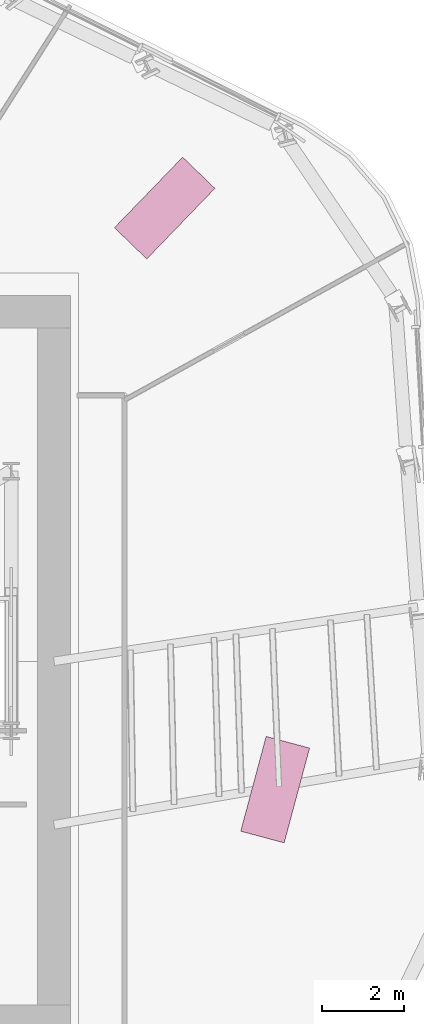
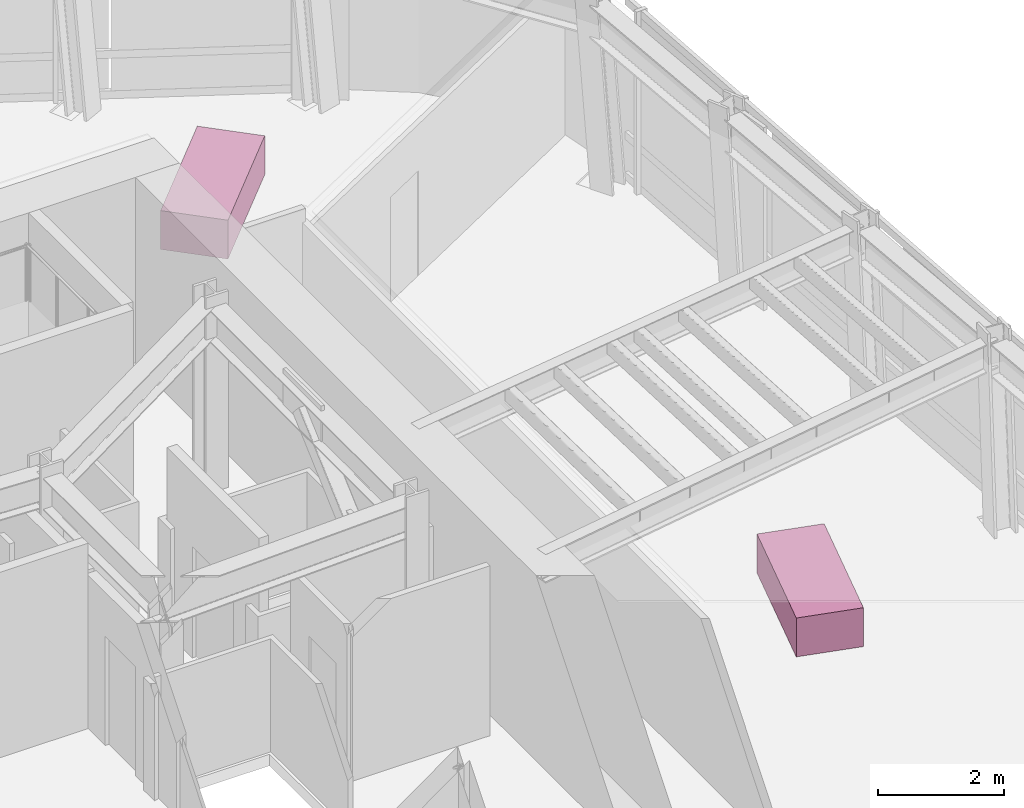
# One storey, part 15 of 15: 2 furniture elements.
"""IFC4 building model written with IfcOpenShell, lengths in metres."""

from ifc_helpers import new_model, si_unit, direction, frame, origin, origin_2d, place, context, subcontext, project, spatial, rectangle, extrude, material, type_object, element, save


model = new_model("IFC4")

# Units and contexts
model_context = context("Model", 3, precision=1e-05, world=origin(), true_north=direction((0.0, 1.0)))
body_context = subcontext(model_context, "Body", "Model", "MODEL_VIEW")
ifc_project = project(units=[si_unit("LENGTHUNIT", "METRE"), si_unit("AREAUNIT", "SQUARE_METRE"), si_unit("VOLUMEUNIT", "CUBIC_METRE"), si_unit("PLANEANGLEUNIT", "RADIAN"), si_unit("MASSUNIT", "GRAM", prefix="KILO")], contexts=[model_context])

# Site, building, storey
site_placement = place(None, origin())
site = spatial("IfcSite", under=ifc_project, at=site_placement, CompositionType="ELEMENT")
building_placement = place(site_placement, origin())
building = spatial("IfcBuilding", under=site, at=building_placement, Name="Valkerne Bourse Tower", CompositionType="ELEMENT")
storey_placement = place(building_placement, frame((0.0, 0.0, 166.60009765625)))
storey = spatial("IfcBuildingStorey", under=building, at=storey_placement, Name="L42", CompositionType="ELEMENT", Elevation=166.60009765625)

# Furniture
ifc_material = material(Name="Architectural White Oak Timber", Category="wood")
furniture_type = type_object("IfcFurnitureType", Name="FURN-DESK-2400", AssemblyPlace="NOTDEFINED", PredefinedType="DESK", material=ifc_material)
for number, where, z_axis, x_axis, name in (
    (1, (58.705078125, 38.0849609375, 0.044921875), (0.0, 0.0, 1.0), (0.694658370459, 0.719339800339, 0.0), "L42 Suite Worktable 08"),
    (2, (61.406982421875, 23.861083984375, 0.044921875), (0.0, 0.0, 1.0), (0.258819045103, 0.965925826289, 0.0), "L42 Suite Worktable 09"),
):
    element("IfcFurniture", number, at=place(storey_placement, frame(where, z_axis=z_axis, x_axis=x_axis)), inside=storey, type_object=furniture_type, Name=name, PredefinedType="DESK", context=body_context, shape_type="SweptSolid", body=[
        extrude(rectangle(XDim=2.39990234375, YDim=1.10009765625, at=origin_2d()), origin(), (0.0, 0.0, 1.0), 0.75),
    ])

save(model, "model.ifc")
